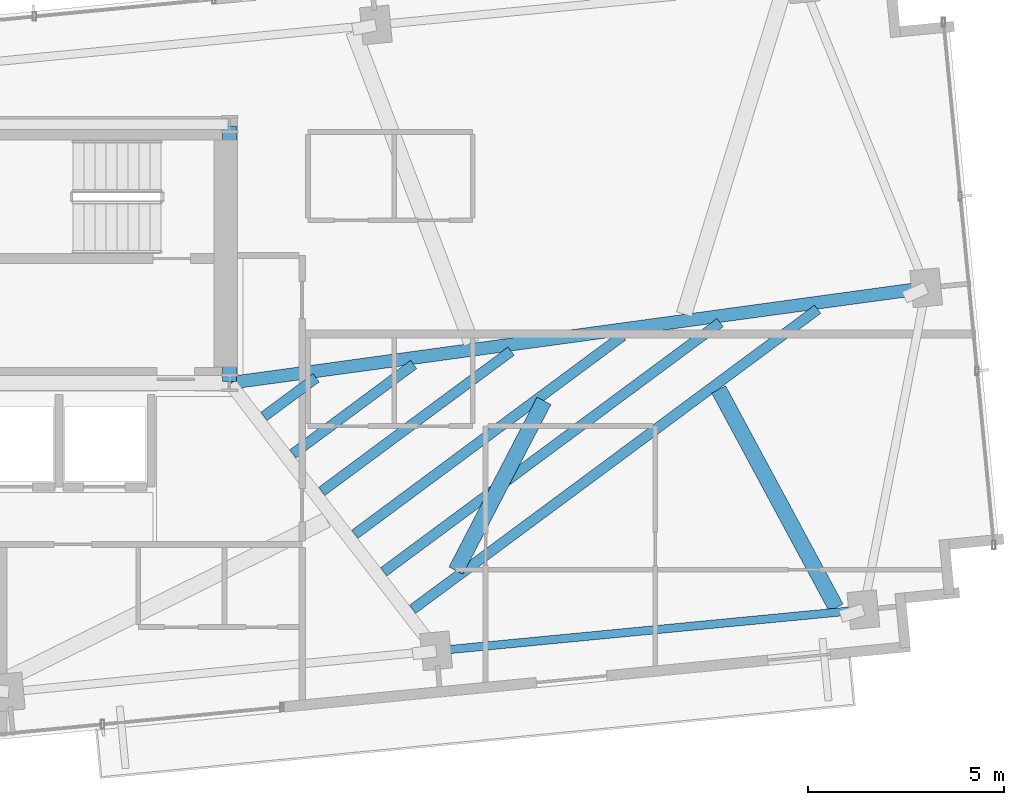
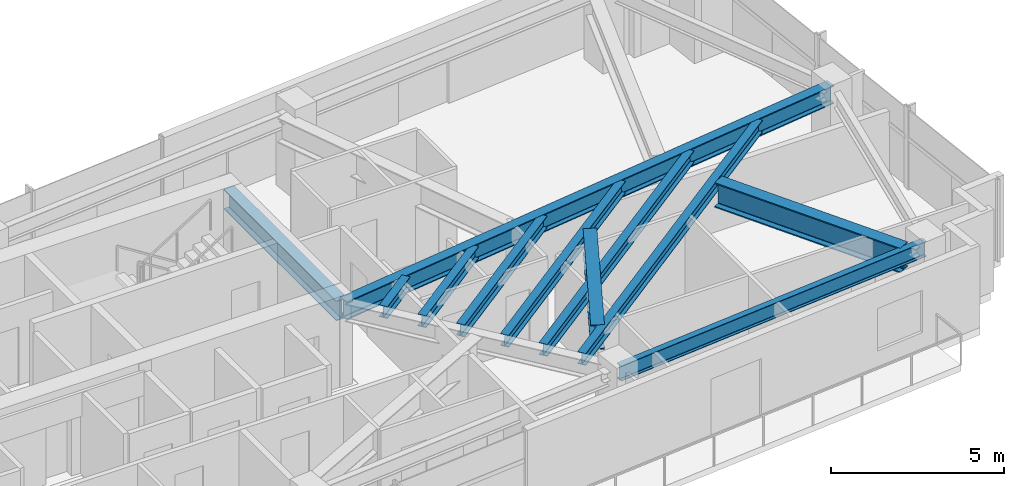
# One storey, part 9 of 18: 11 beams.
"""IFC4 building model written with IfcOpenShell, lengths in metres."""

from ifc_helpers import new_model, si_unit, direction, frame, origin, origin_2d, place, context, subcontext, project, spatial, i_section, extrude, source, transform, mapped, material, material_profile, profile_set, type_object, type_shapes, element, save


model = new_model("IFC4")

# Units and contexts
model_context = context("Model", 3, precision=1e-05, world=origin(), true_north=direction((0.0, 1.0)))
body_context = subcontext(model_context, "Body", "Model", "MODEL_VIEW")
ifc_project = project(units=[si_unit("LENGTHUNIT", "METRE"), si_unit("AREAUNIT", "SQUARE_METRE"), si_unit("VOLUMEUNIT", "CUBIC_METRE"), si_unit("PLANEANGLEUNIT", "RADIAN"), si_unit("MASSUNIT", "GRAM", prefix="KILO")], contexts=[model_context])

# Site, building, storey
site_placement = place(None, origin())
site = spatial("IfcSite", under=ifc_project, at=site_placement, CompositionType="ELEMENT")
building_placement = place(site_placement, origin())
building = spatial("IfcBuilding", under=site, at=building_placement, Name="Astriad Promenade Condominiums", CompositionType="ELEMENT")
storey_placement = place(building_placement, frame((0.0, 0.0, 208.199951171875)))
storey = spatial("IfcBuildingStorey", under=building, at=storey_placement, Name="L60", CompositionType="ELEMENT", Elevation=208.199951171875)

# Beams
ifc_material = material(Name="Steel ASTM A992 Grade 50", Category="steel")
ifc_material_profile_1 = material_profile(ifc_material, i_section(OverallWidth=0.35791015625, OverallDepth=0.706298828125, WebThickness=0.018310546875, FlangeThickness=0.0302734375, FilletRadius=0.020263671875, at=origin_2d()), Name="W27X178")
ifc_profile_set_1 = profile_set([ifc_material_profile_1], Name="Steel ASTM A992 Grade 50")
beam_type_1 = type_object("IfcBeamType", Name="STEEL FLOOR GIRDER W27X178", PredefinedType="BEAM", material=ifc_profile_set_1)
shared_shape_1 = source(origin(), body_context, "Body", "SweptSolid", [
    extrude(i_section(OverallWidth=0.35791015625, OverallDepth=0.706298828125, WebThickness=0.018310546875, FlangeThickness=0.0302734375, FilletRadius=0.020263671875, at=origin_2d()), origin(), (0.0, 0.0, 1.0), 6.52001953125),
])
type_shapes(beam_type_1, [shared_shape_1])
beam_1_placement = place(storey_placement, frame((45.60009765625, 17.43994140625, 2.546875), z_axis=(0.0, 1.0, 0.0), x_axis=(-1.0, 0.0, 0.0)))
element("IfcBeam", 1, at=beam_1_placement, inside=storey, type_object=beam_type_1, Name="Core Ring Beam CG-E1-L60", PredefinedType="BEAM", context=body_context, shape_type="MappedRepresentation", body=[
    mapped(shared_shape_1, transform((0.0, 0.0, 0.0), scale=1.0)),
])
ifc_material_profile_2 = material_profile(ifc_material, i_section(OverallWidth=0.210693359375, OverallDepth=0.53955078125, WebThickness=0.01171875, FlangeThickness=0.018798828125, FilletRadius=0.0166015625, at=origin_2d()), Name="W21X73")
ifc_profile_set_2 = profile_set([ifc_material_profile_2], Name="Steel ASTM A992 Grade 50")
beam_type_2 = type_object("IfcBeamType", Name="STEEL SPANDREL BEAM W21X73", PredefinedType="SPANDREL", material=ifc_profile_set_2)
shared_shape_2 = source(origin(), body_context, "Body", "SweptSolid", [
    extrude(i_section(OverallWidth=0.210693359375, OverallDepth=0.53955078125, WebThickness=0.01171875, FlangeThickness=0.018798828125, FilletRadius=0.0166015625, at=origin_2d()), origin(), (0.0, 0.0, 1.0), 10.869873046875),
])
type_shapes(beam_type_2, [shared_shape_2])
beam_2_placement = place(storey_placement, frame((50.908203125, 10.5703125, 2.63037109375), z_axis=(0.995396922692, 0.095838229819, 0.0), x_axis=(-0.095838229819, 0.995396922692, 0.0)))
element("IfcBeam", 2, at=beam_2_placement, inside=storey, type_object=beam_type_2, Name="Perimeter Spandrel Beam SP-S4-L60", PredefinedType="SPANDREL", context=body_context, shape_type="MappedRepresentation", body=[
    mapped(shared_shape_2, transform((0.0, 0.0, 0.0), scale=1.0)),
])
ifc_material_profile_3 = material_profile(ifc_material, i_section(OverallWidth=0.327392578125, OverallDepth=0.640625, WebThickness=0.01904296875, FlangeThickness=0.033935546875, FilletRadius=0.017822265625, at=origin_2d()), Name="W24X176")
ifc_profile_set_3 = profile_set([ifc_material_profile_3], Name="Steel ASTM A992 Grade 50")
beam_type_3 = type_object("IfcBeamType", Name="STEEL FLOOR GIRDER W24X176", PredefinedType="BEAM", material=ifc_profile_set_3)
shared_shape_3 = source(origin(), body_context, "Body", "SweptSolid", [
    extrude(i_section(OverallWidth=0.327392578125, OverallDepth=0.640625, WebThickness=0.01904296875, FlangeThickness=0.033935546875, FilletRadius=0.017822265625, at=origin_2d()), origin(), (0.0, 0.0, 1.0), 17.853271484375),
])
type_shapes(beam_type_3, [shared_shape_3])
beam_3_placement = place(storey_placement, frame((63.32861328125, 19.82177734375, 2.579833984375), z_axis=(-0.990799186345, -0.135340209612, 0.0), x_axis=(0.135340209612, -0.990799186345, 0.0)))
element("IfcBeam", 3, at=beam_3_placement, inside=storey, type_object=beam_type_3, Name="Primary Floor Girder PG-EM-L60", PredefinedType="BEAM", context=body_context, shape_type="MappedRepresentation", body=[
    mapped(shared_shape_3, transform((0.0, 0.0, 0.0), scale=1.0)),
])
ifc_material_profile_4 = material_profile(ifc_material, i_section(OverallWidth=0.26318359375, OverallDepth=0.425537109375, WebThickness=0.01318359375, FlangeThickness=0.022216796875, FilletRadius=0.013916015625, at=origin_2d()), Name="W16X89")
ifc_profile_set_4 = profile_set([ifc_material_profile_4], Name="Steel ASTM A992 Grade 50")
beam_type_4 = type_object("IfcBeamType", Name="STEEL FLOOR JOIST W16X89", PredefinedType="JOIST", material=ifc_profile_set_4)
shared_shape_4 = source(origin(), body_context, "Body", "SweptSolid", [
    extrude(i_section(OverallWidth=0.26318359375, OverallDepth=0.425537109375, WebThickness=0.01318359375, FlangeThickness=0.022216796875, FilletRadius=0.013916015625, at=origin_2d()), origin(), (0.0, 0.0, 1.0), 12.85498046875),
])
beam_4_placement = place(storey_placement, frame((50.27001953125, 11.626220703125, 2.687255859375), z_axis=(0.803505042716, 0.595297947526, 0.0), x_axis=(-0.595297947526, 0.803505042716, 0.0)))
element("IfcBeam", 4, at=beam_4_placement, inside=storey, type_object=beam_type_4, Name="Secondary Composite Floor Joist JE1-1-L60", PredefinedType="JOIST", context=body_context, shape_type="MappedRepresentation", body=[
    mapped(shared_shape_4, transform((0.0, 0.0, 0.0), scale=1.0)),
])
shared_shape_5 = source(origin(), body_context, "Body", "SweptSolid", [
    extrude(i_section(OverallWidth=0.26318359375, OverallDepth=0.425537109375, WebThickness=0.01318359375, FlangeThickness=0.022216796875, FilletRadius=0.013916015625, at=origin_2d()), origin(), (0.0, 0.0, 1.0), 10.677001953125),
])
beam_5_placement = place(storey_placement, frame((49.532470703125, 12.5830078125, 2.687255859375), z_axis=(0.803509393025, 0.595292075641, 0.0), x_axis=(-0.595292075641, 0.803509393025, 0.0)))
element("IfcBeam", 5, at=beam_5_placement, inside=storey, type_object=beam_type_4, Name="Secondary Composite Floor Joist JE1-2-L60", PredefinedType="JOIST", context=body_context, shape_type="MappedRepresentation", body=[
    mapped(shared_shape_5, transform((0.0, 0.0, 0.0), scale=1.0)),
])
shared_shape_6 = source(origin(), body_context, "Body", "SweptSolid", [
    extrude(i_section(OverallWidth=0.26318359375, OverallDepth=0.425537109375, WebThickness=0.01318359375, FlangeThickness=0.022216796875, FilletRadius=0.013916015625, at=origin_2d()), origin(), (0.0, 0.0, 1.0), 8.4990234375),
])
beam_6_placement = place(storey_placement, frame((48.794921875, 13.539794921875, 2.687255859375), z_axis=(0.803515972929, 0.595283194159, 0.0), x_axis=(-0.595283194159, 0.803515972929, 0.0)))
element("IfcBeam", 6, at=beam_6_placement, inside=storey, type_object=beam_type_4, Name="Secondary Composite Floor Joist JE1-3-L60", PredefinedType="JOIST", context=body_context, shape_type="MappedRepresentation", body=[
    mapped(shared_shape_6, transform((0.0, 0.0, 0.0), scale=1.0)),
])
shared_shape_7 = source(origin(), body_context, "Body", "SweptSolid", [
    extrude(i_section(OverallWidth=0.26318359375, OverallDepth=0.425537109375, WebThickness=0.01318359375, FlangeThickness=0.022216796875, FilletRadius=0.013916015625, at=origin_2d()), origin(), (0.0, 0.0, 1.0), 6.01025390625),
])
beam_7_placement = place(storey_placement, frame((47.951904296875, 14.633056640625, 2.687255859375), z_axis=(0.803510418138, 0.595290691968, 0.0), x_axis=(-0.595290691968, 0.803510418138, 0.0)))
element("IfcBeam", 7, at=beam_7_placement, inside=storey, type_object=beam_type_4, Name="Secondary Composite Floor Joist JE1-4-L60", PredefinedType="JOIST", context=body_context, shape_type="MappedRepresentation", body=[
    mapped(shared_shape_7, transform((0.0, 0.0, 0.0), scale=1.0)),
])
shared_shape_8 = source(origin(), body_context, "Body", "SweptSolid", [
    extrude(i_section(OverallWidth=0.26318359375, OverallDepth=0.425537109375, WebThickness=0.01318359375, FlangeThickness=0.022216796875, FilletRadius=0.013916015625, at=origin_2d()), origin(), (0.0, 0.0, 1.0), 3.832275390625),
])
beam_8_placement = place(storey_placement, frame((47.21435546875, 15.58984375, 2.687255859375), z_axis=(0.803525593062, 0.59527020864, 0.0), x_axis=(-0.59527020864, 0.803525593062, 0.0)))
element("IfcBeam", 8, at=beam_8_placement, inside=storey, type_object=beam_type_4, Name="Secondary Composite Floor Joist JE1-5-L60", PredefinedType="JOIST", context=body_context, shape_type="MappedRepresentation", body=[
    mapped(shared_shape_8, transform((0.0, 0.0, 0.0), scale=1.0)),
])
shared_shape_9 = source(origin(), body_context, "Body", "SweptSolid", [
    extrude(i_section(OverallWidth=0.26318359375, OverallDepth=0.425537109375, WebThickness=0.01318359375, FlangeThickness=0.022216796875, FilletRadius=0.013916015625, at=origin_2d()), origin(), (0.0, 0.0, 1.0), 1.654541015625),
])
type_shapes(beam_type_4, [shared_shape_4, shared_shape_5, shared_shape_6, shared_shape_7, shared_shape_8, shared_shape_9])
beam_9_placement = place(storey_placement, frame((46.476806640625, 16.54638671875, 2.687255859375), z_axis=(0.803510136239, 0.595291072468, 0.0), x_axis=(-0.595291072468, 0.803510136239, 0.0)))
element("IfcBeam", 9, at=beam_9_placement, inside=storey, type_object=beam_type_4, Name="Secondary Composite Floor Joist JE1-6-L60", PredefinedType="JOIST", context=body_context, shape_type="MappedRepresentation", body=[
    mapped(shared_shape_9, transform((0.0, 0.0, 0.0), scale=1.0)),
])
ifc_material_profile_5 = material_profile(ifc_material, i_section(OverallWidth=0.4013671875, OverallDepth=0.877197265625, WebThickness=0.022216796875, FlangeThickness=0.039794921875, FilletRadius=0.02294921875, at=origin_2d()), Name="W33X263")
ifc_profile_set_5 = profile_set([ifc_material_profile_5], Name="Steel ASTM A992 Grade 50")
beam_type_5 = type_object("IfcBeamType", Name="STEEL TRANSFER CARRIER GIRDER W33X263", PredefinedType="BEAM", material=ifc_profile_set_5)
shared_shape_10 = source(origin(), body_context, "Body", "SweptSolid", [
    extrude(i_section(OverallWidth=0.4013671875, OverallDepth=0.877197265625, WebThickness=0.022216796875, FlangeThickness=0.039794921875, FilletRadius=0.02294921875, at=origin_2d()), origin(), (0.0, 0.0, 1.0), 4.879150390625),
])
beam_10_placement = place(storey_placement, frame((53.618408203125, 16.944091796875, 2.461669921875), z_axis=(-0.460255818634, -0.887786337704, 0.0), x_axis=(0.887786337704, -0.460255818634, 0.0)))
element("IfcBeam", 10, at=beam_10_placement, inside=storey, type_object=beam_type_5, Name="Transfer Splice Carrier TRM-SP-PC04-L60", PredefinedType="BEAM", context=body_context, shape_type="MappedRepresentation", body=[
    mapped(shared_shape_10, transform((0.0, 0.0, 0.0), scale=1.0)),
])
shared_shape_11 = source(origin(), body_context, "Body", "SweptSolid", [
    extrude(i_section(OverallWidth=0.4013671875, OverallDepth=0.877197265625, WebThickness=0.022216796875, FlangeThickness=0.039794921875, FilletRadius=0.02294921875, at=origin_2d()), origin(), (0.0, 0.0, 1.0), 6.32373046875),
])
type_shapes(beam_type_5, [shared_shape_10, shared_shape_11])
beam_11_placement = place(storey_placement, frame((58.0751953125, 17.23291015625, 2.461669921875), z_axis=(0.473821228238, -0.88062105566, 0.0), x_axis=(0.88062105566, 0.473821228238, 0.0)))
element("IfcBeam", 11, at=beam_11_placement, inside=storey, type_object=beam_type_5, Name="Transfer Splice Carrier TRM-SP-PC05-L60", PredefinedType="BEAM", context=body_context, shape_type="MappedRepresentation", body=[
    mapped(shared_shape_11, transform((0.0, 0.0, 0.0), scale=1.0)),
])

save(model, "model.ifc")
